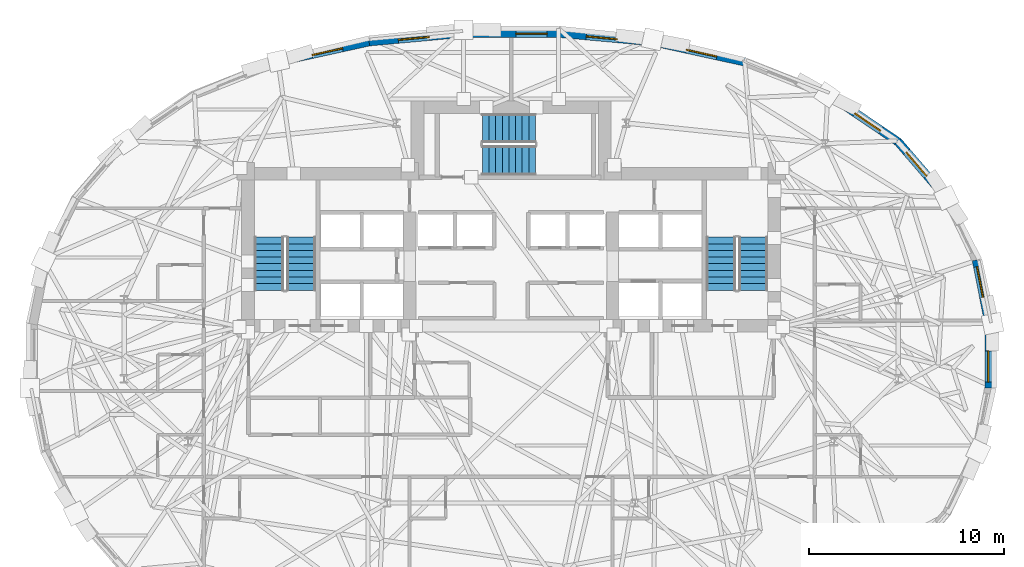
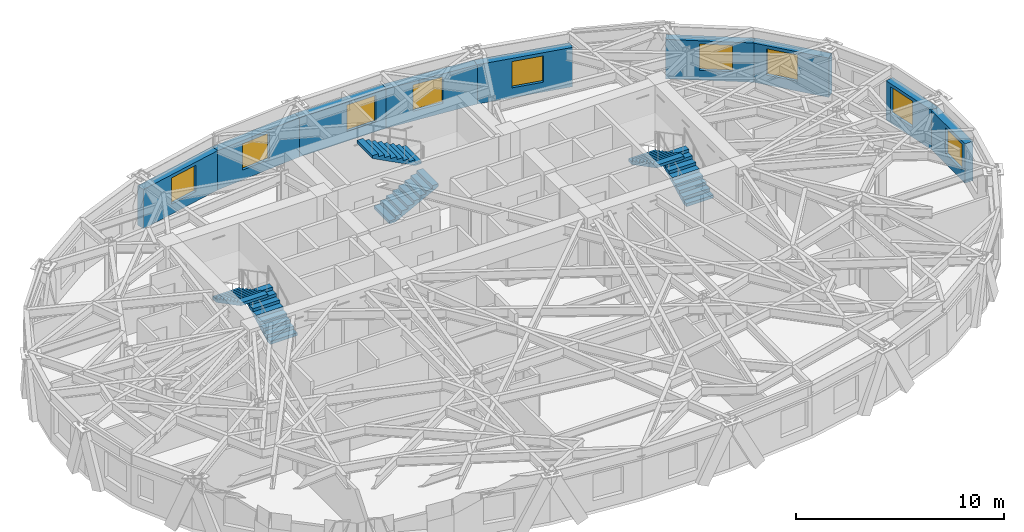
# One storey, part 10 of 14: 9 walls, 9 windows, 6 stair flights, 9 openings, 3 elements without a shape of their own.
"""IFC4 building model written with IfcOpenShell, lengths in metres."""

from ifc_helpers import new_model, si_unit, direction, frame, frame_2d, origin, place, context, subcontext, project, spatial, polyline, rectangle, outline, extrude, material, layer, layer_set, type_object, element, fill, aggregate, save


model = new_model("IFC4")

# Units and contexts
model_context = context("Model", 3, precision=1e-05, world=origin(), true_north=direction((0.0, 1.0)))
body_context = subcontext(model_context, "Body", "Model", "MODEL_VIEW")
ifc_project = project(units=[si_unit("LENGTHUNIT", "METRE"), si_unit("AREAUNIT", "SQUARE_METRE"), si_unit("VOLUMEUNIT", "CUBIC_METRE"), si_unit("PLANEANGLEUNIT", "RADIAN"), si_unit("MASSUNIT", "GRAM", prefix="KILO")], contexts=[model_context])

# Site, building, storey
site_placement = place(None, origin())
site = spatial("IfcSite", under=ifc_project, at=site_placement, CompositionType="ELEMENT")
building_placement = place(site_placement, origin())
building = spatial("IfcBuilding", under=site, at=building_placement, Name="Keldmark Tower", CompositionType="ELEMENT")
storey_placement = place(building_placement, frame((0.0, 0.0, 153.39990234375)))
storey = spatial("IfcBuildingStorey", under=building, at=storey_placement, Name="L41", CompositionType="ELEMENT", Elevation=153.39990234375)

# Wall, opening, window
ifc_material_1 = material(Name="Ironspot Manganese Brick and Kasota Buff Limestone Spandrel Assembly", Category="masonry")
ifc_layer = layer(ifc_material_1, 0.43994140625)
ifc_layer_set = layer_set([ifc_layer], Name="Ironspot Manganese Brick and Kasota Buff Limestone Spandrel Assembly")
wall_type = type_object("IfcWallType", Name="Tower Brick Pier and Spandrel Wall 440 mm", PredefinedType="STANDARD", material=ifc_layer_set)
wall_1_placement = place(storey_placement, frame((23.832275390625, 4.902099609375, 0.0), z_axis=(0.0, 0.0, 1.0), x_axis=(0.193669845908, -0.981066761635, 0.0)))
wall_1 = element("IfcWall", 1, at=wall_1_placement, inside=storey, type_object=wall_type, Name="L41 Exterior Brick and Spandrel Wall 01", PredefinedType="STANDARD", context=body_context, shape_type="SweptSolid", body=[
    extrude(rectangle(XDim=3.359619140625, YDim=0.43994140625, at=frame_2d((1.6796875, 0.0))), origin(), (0.0, 0.0, 1.0), 2.315185546875),
])
opening_1_placement = place(wall_1_placement, frame((0.345703125, 0.0, 0.580078125)))
opening_1 = element("IfcOpeningElement", 2, at=opening_1_placement, cuts=wall_1, Name="Opening W-04", PredefinedType="OPENING", context=body_context, shape_type="SweptSolid", body=[
    extrude(rectangle(XDim=1.60009765625, YDim=1.550048828125, at=frame_2d((0.800048828125, 0.77490234375))), frame((0.0, 0.22998046875, 0.0), z_axis=(0.0, -1.0, 0.0), x_axis=(1.0, 0.0, 0.0)), (0.0, 0.0, 1.0), 0.4599609375),
])
ifc_material_2 = material(Name="Thermally Broken Anodized Aluminum and Triple Low-E Argon Glazing", Category="aluminium")
window_type = type_object("IfcWindowType", Name="Hotel Deep-Set Operable Window 1600x1550", PartitioningType="DOUBLE_PANEL_HORIZONTAL", PredefinedType="WINDOW", material=ifc_material_2)
window_1_placement = place(opening_1_placement, origin())
window_1 = element("IfcWindow", 3, at=window_1_placement, inside=storey, type_object=window_type, Name="L41 Deep-Set Window 01", OverallHeight=1.550048828125, OverallWidth=1.60009765625, PartitioningType="SINGLE_PANEL", PredefinedType="WINDOW", context=body_context, shape_type="SweptSolid", body=[
    extrude(rectangle(XDim=1.60009765625, YDim=1.550048828125, at=frame_2d((0.800048828125, 0.77490234375))), frame((0.0, -0.010009765625, 0.0), z_axis=(0.0, -1.0, 0.0), x_axis=(1.0, 0.0, 0.0)), (0.0, 0.0, 1.0), 0.06005859375),
])
fill(opening_1, window_1)

wall_2_placement = place(storey_placement, frame((19.80810546875, 10.968505859375, 0.0), z_axis=(0.0, 0.0, 1.0), x_axis=(0.651797156524, -0.758393345664, 0.0)))
wall_2 = element("IfcWall", 4, at=wall_2_placement, inside=storey, type_object=wall_type, Name="L41 Exterior Brick and Spandrel Wall 03", PredefinedType="STANDARD", context=body_context, shape_type="SweptSolid", body=[
    extrude(rectangle(XDim=3.895751953125, YDim=0.43994140625, at=frame_2d((1.94775390625, 0.0))), origin(), (0.0, 0.0, 1.0), 2.315185546875),
])
opening_2_placement = place(wall_2_placement, frame((0.698974609375, 0.0, 0.580078125)))
opening_2 = element("IfcOpeningElement", 5, at=opening_2_placement, cuts=wall_2, Name="Opening W-04", PredefinedType="OPENING", context=body_context, shape_type="SweptSolid", body=[
    extrude(rectangle(XDim=1.60009765625, YDim=1.550048828125, at=frame_2d((0.800048828125, 0.77490234375))), frame((0.0, 0.22998046875, 0.0), z_axis=(0.0, -1.0, 0.0), x_axis=(1.0, 0.0, 0.0)), (0.0, 0.0, 1.0), 0.4599609375),
])
window_2_placement = place(opening_2_placement, origin())
window_2 = element("IfcWindow", 6, at=window_2_placement, inside=storey, type_object=window_type, Name="L41 Deep-Set Window 03", OverallHeight=1.550048828125, OverallWidth=1.60009765625, PartitioningType="SINGLE_PANEL", PredefinedType="WINDOW", context=body_context, shape_type="SweptSolid", body=[
    extrude(rectangle(XDim=1.60009765625, YDim=1.550048828125, at=frame_2d((0.800048828125, 0.77490234375))), frame((0.0, -0.010009765625, 0.0), z_axis=(0.0, -1.0, 0.0), x_axis=(1.0, 0.0, 0.0)), (0.0, 0.0, 1.0), 0.06005859375),
])
fill(opening_2, window_2)

wall_3_placement = place(storey_placement, frame((16.269775390625, 13.35791015625, 0.0), z_axis=(0.0, 0.0, 1.0), x_axis=(0.827746250701, -0.561102614902, 0.0)))
wall_3 = element("IfcWall", 7, at=wall_3_placement, inside=storey, type_object=wall_type, Name="L41 Exterior Brick and Spandrel Wall 04", PredefinedType="STANDARD", context=body_context, shape_type="SweptSolid", body=[
    extrude(rectangle(XDim=4.3271484375, YDim=0.43994140625, at=frame_2d((2.16357421875, 0.0))), origin(), (0.0, 0.0, 1.0), 2.315185546875),
])
opening_3_placement = place(wall_3_placement, frame((1.635986328125, 0.0, 0.580078125)))
opening_3 = element("IfcOpeningElement", 8, at=opening_3_placement, cuts=wall_3, Name="Opening W-04", PredefinedType="OPENING", context=body_context, shape_type="SweptSolid", body=[
    extrude(rectangle(XDim=1.60009765625, YDim=1.550048828125, at=frame_2d((0.800048828125, 0.77490234375))), frame((0.0, 0.22998046875, 0.0), z_axis=(0.0, -1.0, 0.0), x_axis=(1.0, 0.0, 0.0)), (0.0, 0.0, 1.0), 0.4599609375),
])
window_3_placement = place(opening_3_placement, origin())
window_3 = element("IfcWindow", 9, at=window_3_placement, inside=storey, type_object=window_type, Name="L41 Deep-Set Window 04", OverallHeight=1.550048828125, OverallWidth=1.60009765625, PartitioningType="SINGLE_PANEL", PredefinedType="WINDOW", context=body_context, shape_type="SweptSolid", body=[
    extrude(rectangle(XDim=1.60009765625, YDim=1.550048828125, at=frame_2d((0.800048828125, 0.77490234375))), frame((0.0, -0.010009765625, 0.0), z_axis=(0.0, -1.0, 0.0), x_axis=(1.0, 0.0, 0.0)), (0.0, 0.0, 1.0), 0.06005859375),
])
fill(opening_3, window_3)

wall_4_placement = place(storey_placement, frame((7.247802734375, 16.0859375, 0.0), z_axis=(0.0, 0.0, 1.0), x_axis=(0.976767211892, -0.214303088576, 0.0)))
wall_4 = element("IfcWall", 10, at=wall_4_placement, inside=storey, type_object=wall_type, Name="L41 Exterior Brick and Spandrel Wall 06", PredefinedType="STANDARD", context=body_context, shape_type="SweptSolid", body=[
    extrude(rectangle(XDim=4.85205078125, YDim=0.43994140625, at=frame_2d((2.426025390625, 0.0))), origin(), (0.0, 0.0, 1.0), 2.315185546875),
])
opening_4_placement = place(wall_4_placement, frame((1.7734375, 0.0, 0.580078125)))
opening_4 = element("IfcOpeningElement", 11, at=opening_4_placement, cuts=wall_4, Name="Opening W-04", PredefinedType="OPENING", context=body_context, shape_type="SweptSolid", body=[
    extrude(rectangle(XDim=1.60009765625, YDim=1.550048828125, at=frame_2d((0.800048828125, 0.77490234375))), frame((0.0, 0.22998046875, 0.0), z_axis=(0.0, -1.0, 0.0), x_axis=(1.0, 0.0, 0.0)), (0.0, 0.0, 1.0), 0.4599609375),
])
window_4_placement = place(opening_4_placement, origin())
window_4 = element("IfcWindow", 12, at=window_4_placement, inside=storey, type_object=window_type, Name="L41 Deep-Set Window 06", OverallHeight=1.550048828125, OverallWidth=1.60009765625, PartitioningType="SINGLE_PANEL", PredefinedType="WINDOW", context=body_context, shape_type="SweptSolid", body=[
    extrude(rectangle(XDim=1.60009765625, YDim=1.550048828125, at=frame_2d((0.800048828125, 0.77490234375))), frame((0.0, -0.010009765625, 0.0), z_axis=(0.0, -1.0, 0.0), x_axis=(1.0, 0.0, 0.0)), (0.0, 0.0, 1.0), 0.06005859375),
])
fill(opening_4, window_4)

wall_5_placement = place(storey_placement, frame((2.41259765625, 16.522705078125, 0.0), z_axis=(0.0, 0.0, 1.0), x_axis=(0.995913675095, -0.090310308155, 0.0)))
wall_5 = element("IfcWall", 13, at=wall_5_placement, inside=storey, type_object=wall_type, Name="L41 Exterior Brick and Spandrel Wall 07", PredefinedType="STANDARD", context=body_context, shape_type="SweptSolid", body=[
    extrude(rectangle(XDim=4.88232421875, YDim=0.43994140625, at=frame_2d((2.441162109375, 0.0))), origin(), (0.0, 0.0, 1.0), 2.315185546875),
])
opening_5_placement = place(wall_5_placement, frame((1.4423828125, 0.0, 0.580078125)))
opening_5 = element("IfcOpeningElement", 14, at=opening_5_placement, cuts=wall_5, Name="Opening W-04", PredefinedType="OPENING", context=body_context, shape_type="SweptSolid", body=[
    extrude(rectangle(XDim=1.60009765625, YDim=1.550048828125, at=frame_2d((0.800048828125, 0.77490234375))), frame((0.0, 0.22998046875, 0.0), z_axis=(0.0, -1.0, 0.0), x_axis=(1.0, 0.0, 0.0)), (0.0, 0.0, 1.0), 0.4599609375),
])
window_5_placement = place(opening_5_placement, origin())
window_5 = element("IfcWindow", 15, at=window_5_placement, inside=storey, type_object=window_type, Name="L41 Deep-Set Window 07", OverallHeight=1.550048828125, OverallWidth=1.60009765625, PartitioningType="SINGLE_PANEL", PredefinedType="WINDOW", context=body_context, shape_type="SweptSolid", body=[
    extrude(rectangle(XDim=1.60009765625, YDim=1.550048828125, at=frame_2d((0.800048828125, 0.77490234375))), frame((0.0, -0.010009765625, 0.0), z_axis=(0.0, -1.0, 0.0), x_axis=(1.0, 0.0, 0.0)), (0.0, 0.0, 1.0), 0.06005859375),
])
fill(opening_5, window_5)

wall_6_placement = place(storey_placement, frame((-2.4326171875, 16.52197265625, 0.0), z_axis=(0.0, 0.0, 1.0), x_axis=(1.0, 0.0, 0.0)))
wall_6 = element("IfcWall", 16, at=wall_6_placement, inside=storey, type_object=wall_type, Name="L41 Exterior Brick and Spandrel Wall 08", PredefinedType="STANDARD", context=body_context, shape_type="SweptSolid", body=[
    extrude(rectangle(XDim=4.865234375, YDim=0.43994140625, at=frame_2d((2.4326171875, 0.0))), origin(), (0.0, 0.0, 1.0), 2.315185546875),
])
opening_6_placement = place(wall_6_placement, frame((2.669921875, 0.0, 0.580078125)))
opening_6 = element("IfcOpeningElement", 17, at=opening_6_placement, cuts=wall_6, Name="Opening W-04", PredefinedType="OPENING", context=body_context, shape_type="SweptSolid", body=[
    extrude(rectangle(XDim=1.60009765625, YDim=1.550048828125, at=frame_2d((0.800048828125, 0.77490234375))), frame((0.0, 0.22998046875, 0.0), z_axis=(0.0, -1.0, 0.0), x_axis=(1.0, 0.0, 0.0)), (0.0, 0.0, 1.0), 0.4599609375),
])
window_6_placement = place(opening_6_placement, origin())
window_6 = element("IfcWindow", 18, at=window_6_placement, inside=storey, type_object=window_type, Name="L41 Deep-Set Window 08", OverallHeight=1.550048828125, OverallWidth=1.60009765625, PartitioningType="SINGLE_PANEL", PredefinedType="WINDOW", context=body_context, shape_type="SweptSolid", body=[
    extrude(rectangle(XDim=1.60009765625, YDim=1.550048828125, at=frame_2d((0.800048828125, 0.77490234375))), frame((0.0, -0.010009765625, 0.0), z_axis=(0.0, -1.0, 0.0), x_axis=(1.0, 0.0, 0.0)), (0.0, 0.0, 1.0), 0.06005859375),
])
fill(opening_6, window_6)

wall_7_placement = place(storey_placement, frame((-7.27490234375, 16.081787109375, 0.0), z_axis=(0.0, 0.0, 1.0), x_axis=(0.995913675095, 0.090310308155, 0.0)))
wall_7 = element("IfcWall", 19, at=wall_7_placement, inside=storey, type_object=wall_type, Name="L41 Exterior Brick and Spandrel Wall 09", PredefinedType="STANDARD", context=body_context, shape_type="SweptSolid", body=[
    extrude(rectangle(XDim=4.88232421875, YDim=0.43994140625, at=frame_2d((2.441162109375, 0.0))), origin(), (0.0, 0.0, 1.0), 2.315185546875),
])
opening_7_placement = place(wall_7_placement, frame((1.491943359375, 0.0, 0.580078125)))
opening_7 = element("IfcOpeningElement", 20, at=opening_7_placement, cuts=wall_7, Name="Opening W-04", PredefinedType="OPENING", context=body_context, shape_type="SweptSolid", body=[
    extrude(rectangle(XDim=1.60009765625, YDim=1.550048828125, at=frame_2d((0.800048828125, 0.77490234375))), frame((0.0, 0.22998046875, 0.0), z_axis=(0.0, -1.0, 0.0), x_axis=(1.0, 0.0, 0.0)), (0.0, 0.0, 1.0), 0.4599609375),
])
window_7_placement = place(opening_7_placement, origin())
window_7 = element("IfcWindow", 21, at=window_7_placement, inside=storey, type_object=window_type, Name="L41 Deep-Set Window 09", OverallHeight=1.550048828125, OverallWidth=1.60009765625, PartitioningType="SINGLE_PANEL", PredefinedType="WINDOW", context=body_context, shape_type="SweptSolid", body=[
    extrude(rectangle(XDim=1.60009765625, YDim=1.550048828125, at=frame_2d((0.800048828125, 0.77490234375))), frame((0.0, -0.010009765625, 0.0), z_axis=(0.0, -1.0, 0.0), x_axis=(1.0, 0.0, 0.0)), (0.0, 0.0, 1.0), 0.06005859375),
])
fill(opening_7, window_7)

wall_8_placement = place(storey_placement, frame((-11.987060546875, 15.046142578125, 0.0), z_axis=(0.0, 0.0, 1.0), x_axis=(0.976767211892, 0.214303088576, 0.0)))
wall_8 = element("IfcWall", 22, at=wall_8_placement, inside=storey, type_object=wall_type, Name="L41 Exterior Brick and Spandrel Wall 10", PredefinedType="STANDARD", context=body_context, shape_type="SweptSolid", body=[
    extrude(rectangle(XDim=4.85205078125, YDim=0.43994140625, at=frame_2d((2.426025390625, 0.0))), origin(), (0.0, 0.0, 1.0), 2.315185546875),
])
opening_8_placement = place(wall_8_placement, frame((1.822509765625, 0.0, 0.580078125)))
opening_8 = element("IfcOpeningElement", 23, at=opening_8_placement, cuts=wall_8, Name="Opening W-04", PredefinedType="OPENING", context=body_context, shape_type="SweptSolid", body=[
    extrude(rectangle(XDim=1.60009765625, YDim=1.550048828125, at=frame_2d((0.800048828125, 0.77490234375))), frame((0.0, 0.22998046875, 0.0), z_axis=(0.0, -1.0, 0.0), x_axis=(1.0, 0.0, 0.0)), (0.0, 0.0, 1.0), 0.4599609375),
])
window_8_placement = place(opening_8_placement, origin())
window_8 = element("IfcWindow", 24, at=window_8_placement, inside=storey, type_object=window_type, Name="L41 Deep-Set Window 10", OverallHeight=1.550048828125, OverallWidth=1.60009765625, PartitioningType="SINGLE_PANEL", PredefinedType="WINDOW", context=body_context, shape_type="SweptSolid", body=[
    extrude(rectangle(XDim=1.60009765625, YDim=1.550048828125, at=frame_2d((0.800048828125, 0.77490234375))), frame((0.0, -0.010009765625, 0.0), z_axis=(0.0, -1.0, 0.0), x_axis=(1.0, 0.0, 0.0)), (0.0, 0.0, 1.0), 0.06005859375),
])
fill(opening_8, window_8)

wall_9_placement = place(storey_placement, frame((24.478759765625, 1.64892578125, 0.0), z_axis=(0.0, 0.0, 1.0), x_axis=(0.0, -1.0, 0.0)))
wall_9 = element("IfcWall", 25, at=wall_9_placement, inside=storey, type_object=wall_type, Name="L41 Exterior Brick and Spandrel Wall 32", PredefinedType="STANDARD", context=body_context, shape_type="SweptSolid", body=[
    extrude(rectangle(XDim=3.2978515625, YDim=0.43994140625, at=frame_2d((1.64892578125, 0.0))), origin(), (0.0, 0.0, 1.0), 2.315185546875),
])
opening_9_placement = place(wall_9_placement, frame((1.39794921875, 0.0, 0.580078125)))
opening_9 = element("IfcOpeningElement", 26, at=opening_9_placement, cuts=wall_9, Name="Opening W-04", PredefinedType="OPENING", context=body_context, shape_type="SweptSolid", body=[
    extrude(rectangle(XDim=1.60009765625, YDim=1.550048828125, at=frame_2d((0.800048828125, 0.77490234375))), frame((0.0, 0.22998046875, 0.0), z_axis=(0.0, -1.0, 0.0), x_axis=(1.0, 0.0, 0.0)), (0.0, 0.0, 1.0), 0.4599609375),
])
window_9_placement = place(opening_9_placement, origin())
window_9 = element("IfcWindow", 27, at=window_9_placement, inside=storey, type_object=window_type, Name="L41 Deep-Set Window 32", OverallHeight=1.550048828125, OverallWidth=1.60009765625, PartitioningType="SINGLE_PANEL", PredefinedType="WINDOW", context=body_context, shape_type="SweptSolid", body=[
    extrude(rectangle(XDim=1.60009765625, YDim=1.550048828125, at=frame_2d((0.800048828125, 0.77490234375))), frame((0.0, -0.010009765625, 0.0), z_axis=(0.0, -1.0, 0.0), x_axis=(1.0, 0.0, 0.0)), (0.0, 0.0, 1.0), 0.06005859375),
])
fill(opening_9, window_9)

# Stair, stair flights
ifc_material_3 = material(Name="Concrete C40/50", Category="concrete")
stair_type = type_object("IfcStairType", Name="Precast Concrete Core Exit Stair", PredefinedType="HALF_TURN_STAIR", material=ifc_material_3)
stair_1_placement = place(storey_placement, origin())
stair_1 = element("IfcStair", 28, at=stair_1_placement, inside=storey, type_object=stair_type, Name="L41 Exit Stair ST1", PredefinedType="HALF_TURN_STAIR")
ifc_material_4 = material(Name="Concrete C40/50", Category="concrete")
stair_flight_type = type_object("IfcStairFlightType", Name="Precast Concrete Stair Flight 1500 mm", PredefinedType="STRAIGHT", material=ifc_material_4)
stair_flight_1_placement = place(storey_placement, frame((-10.75, 3.35009765625, 0.0), z_axis=(0.0, 0.0, 1.0), x_axis=(0.0, 1.0, 0.0)))
stair_flight_1 = element("IfcStairFlight", 29, at=stair_flight_1_placement, type_object=stair_flight_type, Name="ST1 flight 1", NumberOfRisers=9, NumberOfTreads=8, PredefinedType="STRAIGHT", RiserHeight=0.177777778, TreadLength=0.34, context=body_context, shape_type="SweptSolid", body=[
    extrude(outline(polyline([(0.0, 0.0), (0.0, 0.177734375), (0.340087890625, 0.177734375), (0.340087890625, 0.35546875), (0.679931640625, 0.35546875), (0.679931640625, 0.533447265625), (1.02001953125, 0.533447265625), (1.02001953125, 0.711181640625), (1.360107421875, 0.711181640625), (1.360107421875, 0.888916015625), (1.699951171875, 0.888916015625), (1.699951171875, 1.066650390625), (2.0400390625, 1.066650390625), (2.0400390625, 1.244384765625), (2.3798828125, 1.244384765625), (2.3798828125, 1.422119140625), (2.719970703125, 1.422119140625), (2.719970703125, 1.60009765625), (2.719970703125, 1.253173828125), (0.323486328125, 0.0), (0.0, 0.0)])), frame((0.0, 0.75, 0.0), z_axis=(0.0, -1.0, 0.0), x_axis=(1.0, 0.0, 0.0)), (0.0, 0.0, 1.0), 1.5),
])
stair_flight_2_placement = place(storey_placement, frame((-12.39990234375, 6.070068359375, 1.60009765625), z_axis=(0.0, 0.0, 1.0), x_axis=(0.0, -1.0, 0.0)))
stair_flight_2 = element("IfcStairFlight", 30, at=stair_flight_2_placement, type_object=stair_flight_type, Name="ST1 flight 2", NumberOfRisers=9, NumberOfTreads=8, PredefinedType="STRAIGHT", RiserHeight=0.177777778, TreadLength=0.34, context=body_context, shape_type="SweptSolid", body=[
    extrude(outline(polyline([(0.0, 0.0), (0.0, 0.177734375), (0.340087890625, 0.177734375), (0.340087890625, 0.35546875), (0.679931640625, 0.35546875), (0.679931640625, 0.533447265625), (1.02001953125, 0.533447265625), (1.02001953125, 0.711181640625), (1.360107421875, 0.711181640625), (1.360107421875, 0.888916015625), (1.699951171875, 0.888916015625), (1.699951171875, 1.066650390625), (2.0400390625, 1.066650390625), (2.0400390625, 1.244384765625), (2.3798828125, 1.244384765625), (2.3798828125, 1.422119140625), (2.719970703125, 1.422119140625), (2.719970703125, 1.60009765625), (2.719970703125, 1.253173828125), (0.323486328125, 0.0), (0.0, 0.0)])), frame((0.0, 0.75, 0.0), z_axis=(0.0, -1.0, 0.0), x_axis=(1.0, 0.0, 0.0)), (0.0, 0.0, 1.0), 1.5),
])
aggregate(stair_1, [stair_flight_1, stair_flight_2])

stair_2_placement = place(storey_placement, origin())
stair_2 = element("IfcStair", 31, at=stair_2_placement, inside=storey, type_object=stair_type, Name="L41 Exit Stair ST2", PredefinedType="HALF_TURN_STAIR")
stair_flight_3_placement = place(storey_placement, frame((12.39990234375, 3.35009765625, 0.0), z_axis=(0.0, 0.0, 1.0), x_axis=(0.0, 1.0, 0.0)))
stair_flight_3 = element("IfcStairFlight", 32, at=stair_flight_3_placement, type_object=stair_flight_type, Name="ST2 flight 1", NumberOfRisers=9, NumberOfTreads=8, PredefinedType="STRAIGHT", RiserHeight=0.177777778, TreadLength=0.34, context=body_context, shape_type="SweptSolid", body=[
    extrude(outline(polyline([(0.0, 0.0), (0.0, 0.177734375), (0.340087890625, 0.177734375), (0.340087890625, 0.35546875), (0.679931640625, 0.35546875), (0.679931640625, 0.533447265625), (1.02001953125, 0.533447265625), (1.02001953125, 0.711181640625), (1.360107421875, 0.711181640625), (1.360107421875, 0.888916015625), (1.699951171875, 0.888916015625), (1.699951171875, 1.066650390625), (2.0400390625, 1.066650390625), (2.0400390625, 1.244384765625), (2.3798828125, 1.244384765625), (2.3798828125, 1.422119140625), (2.719970703125, 1.422119140625), (2.719970703125, 1.60009765625), (2.719970703125, 1.253173828125), (0.323486328125, 0.0), (0.0, 0.0)])), frame((0.0, 0.75, 0.0), z_axis=(0.0, -1.0, 0.0), x_axis=(1.0, 0.0, 0.0)), (0.0, 0.0, 1.0), 1.5),
])
stair_flight_4_placement = place(storey_placement, frame((10.75, 6.070068359375, 1.60009765625), z_axis=(0.0, 0.0, 1.0), x_axis=(0.0, -1.0, 0.0)))
stair_flight_4 = element("IfcStairFlight", 33, at=stair_flight_4_placement, type_object=stair_flight_type, Name="ST2 flight 2", NumberOfRisers=9, NumberOfTreads=8, PredefinedType="STRAIGHT", RiserHeight=0.177777778, TreadLength=0.34, context=body_context, shape_type="SweptSolid", body=[
    extrude(outline(polyline([(0.0, 0.0), (0.0, 0.177734375), (0.340087890625, 0.177734375), (0.340087890625, 0.35546875), (0.679931640625, 0.35546875), (0.679931640625, 0.533447265625), (1.02001953125, 0.533447265625), (1.02001953125, 0.711181640625), (1.360107421875, 0.711181640625), (1.360107421875, 0.888916015625), (1.699951171875, 0.888916015625), (1.699951171875, 1.066650390625), (2.0400390625, 1.066650390625), (2.0400390625, 1.244384765625), (2.3798828125, 1.244384765625), (2.3798828125, 1.422119140625), (2.719970703125, 1.422119140625), (2.719970703125, 1.60009765625), (2.719970703125, 1.253173828125), (0.323486328125, 0.0), (0.0, 0.0)])), frame((0.0, 0.75, 0.0), z_axis=(0.0, -1.0, 0.0), x_axis=(1.0, 0.0, 0.0)), (0.0, 0.0, 1.0), 1.5),
])
aggregate(stair_2, [stair_flight_3, stair_flight_4])

stair_3_placement = place(storey_placement, origin())
stair_3 = element("IfcStair", 34, at=stair_3_placement, inside=storey, type_object=stair_type, Name="L41 Exit Stair ST3", PredefinedType="HALF_TURN_STAIR")
stair_flight_5_placement = place(storey_placement, frame((-1.47509765625, 10.0, 0.0), z_axis=(0.0, 0.0, 1.0), x_axis=(1.0, 0.0, 0.0)))
stair_flight_5 = element("IfcStairFlight", 35, at=stair_flight_5_placement, type_object=stair_flight_type, Name="ST3 flight 1", NumberOfRisers=9, NumberOfTreads=8, PredefinedType="STRAIGHT", RiserHeight=0.177777778, TreadLength=0.34, context=body_context, shape_type="SweptSolid", body=[
    extrude(outline(polyline([(0.0, 0.0), (0.0, 0.177734375), (0.340087890625, 0.177734375), (0.340087890625, 0.35546875), (0.679931640625, 0.35546875), (0.679931640625, 0.533447265625), (1.02001953125, 0.533447265625), (1.02001953125, 0.711181640625), (1.360107421875, 0.711181640625), (1.360107421875, 0.888916015625), (1.699951171875, 0.888916015625), (1.699951171875, 1.066650390625), (2.0400390625, 1.066650390625), (2.0400390625, 1.244384765625), (2.3798828125, 1.244384765625), (2.3798828125, 1.422119140625), (2.719970703125, 1.422119140625), (2.719970703125, 1.60009765625), (2.719970703125, 1.253173828125), (0.323486328125, 0.0), (0.0, 0.0)])), frame((0.0, 0.75, 0.0), z_axis=(0.0, -1.0, 0.0), x_axis=(1.0, 0.0, 0.0)), (0.0, 0.0, 1.0), 1.5),
])
stair_flight_6_placement = place(storey_placement, frame((1.2451171875, 11.64990234375, 1.60009765625), z_axis=(0.0, 0.0, 1.0), x_axis=(-1.0, 0.0, 0.0)))
stair_flight_6 = element("IfcStairFlight", 36, at=stair_flight_6_placement, type_object=stair_flight_type, Name="ST3 flight 2", NumberOfRisers=9, NumberOfTreads=8, PredefinedType="STRAIGHT", RiserHeight=0.177777778, TreadLength=0.34, context=body_context, shape_type="SweptSolid", body=[
    extrude(outline(polyline([(0.0, 0.0), (0.0, 0.177734375), (0.340087890625, 0.177734375), (0.340087890625, 0.35546875), (0.679931640625, 0.35546875), (0.679931640625, 0.533447265625), (1.02001953125, 0.533447265625), (1.02001953125, 0.711181640625), (1.360107421875, 0.711181640625), (1.360107421875, 0.888916015625), (1.699951171875, 0.888916015625), (1.699951171875, 1.066650390625), (2.0400390625, 1.066650390625), (2.0400390625, 1.244384765625), (2.3798828125, 1.244384765625), (2.3798828125, 1.422119140625), (2.719970703125, 1.422119140625), (2.719970703125, 1.60009765625), (2.719970703125, 1.253173828125), (0.323486328125, 0.0), (0.0, 0.0)])), frame((0.0, 0.75, 0.0), z_axis=(0.0, -1.0, 0.0), x_axis=(1.0, 0.0, 0.0)), (0.0, 0.0, 1.0), 1.5),
])
aggregate(stair_3, [stair_flight_5, stair_flight_6])

save(model, "model.ifc")
